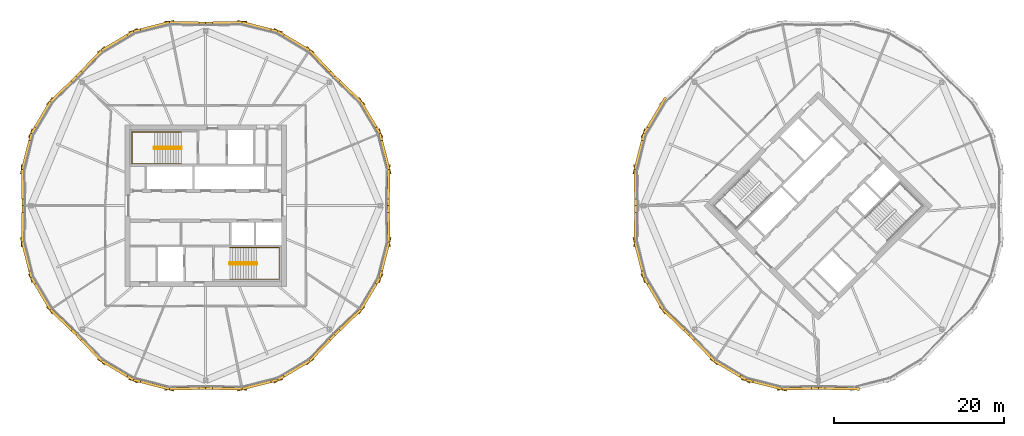
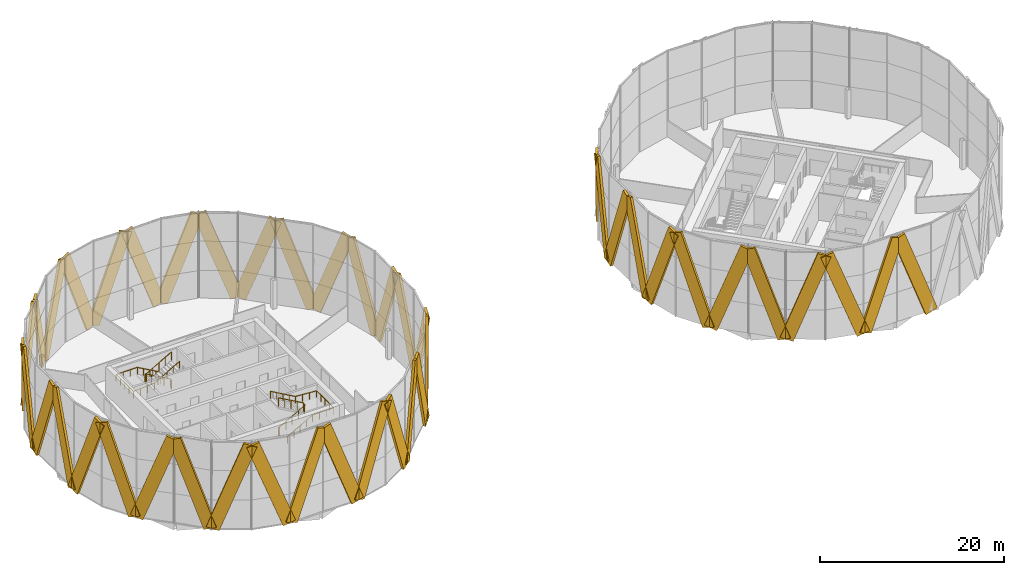
# One storey, part 24 of 25: 44 coverings, 4 railings.
"""IFC4 building model written with IfcOpenShell, lengths in metres."""

from ifc_helpers import new_model, si_unit, direction, frame, origin, origin_2d, place, context, subcontext, project, spatial, rectangle, circle, extrude, material, material_profile, profile_set, type_object, element, save


model = new_model("IFC4")

# Units and contexts
model_context = context("Model", 3, precision=1e-05, world=origin(), true_north=direction((0.0, 1.0)))
body_context = subcontext(model_context, "Body", "Model", "MODEL_VIEW")
ifc_project = project(units=[si_unit("LENGTHUNIT", "METRE"), si_unit("AREAUNIT", "SQUARE_METRE"), si_unit("VOLUMEUNIT", "CUBIC_METRE"), si_unit("PLANEANGLEUNIT", "RADIAN"), si_unit("MASSUNIT", "GRAM", prefix="KILO")], contexts=[model_context])

# Site, building, storey
site_placement = place(None, origin())
site = spatial("IfcSite", under=ifc_project, at=site_placement, CompositionType="ELEMENT")
building_placement = place(site_placement, origin())
building = spatial("IfcBuilding", under=site, at=building_placement, Name="Ogive Gate Towers", CompositionType="ELEMENT")
storey_placement = place(building_placement, frame((0.0, 0.0, 196.800048828125)))
storey = spatial("IfcBuildingStorey", under=building, at=storey_placement, Name="L47", CompositionType="ELEMENT", Elevation=196.800048828125)

# Coverings
ifc_material_1 = material(Name="Pale metal aluminium", Category="aluminium")
ifc_material_profile = material_profile(ifc_material_1, rectangle(XDim=0.300048828125, YDim=1.5, at=origin_2d()), Name="1500 x 300 pale metal aluminium")
ifc_profile_set = profile_set([ifc_material_profile], Name="Pale metal aluminium")
covering_type = type_object("IfcCoveringType", Name="Facade fin 1500 x 300", PredefinedType="CLADDING", material=ifc_profile_set)
covering_1_placement = place(storey_placement, frame((-14.467041015625, 4.131103515625, 0.0068359375), z_axis=(-0.006868851538, -0.342532247172, 0.939480962301), x_axis=(0.999798996149, -0.020049122175, 0.0)))
element("IfcCovering", 1, at=covering_1_placement, inside=storey, type_object=covering_type, Name="Facade fin", PredefinedType="CLADDING", context=body_context, shape_type="SweptSolid", body=[
    extrude(rectangle(XDim=0.300048828125, YDim=1.5, at=origin_2d()), origin(), (0.0, 0.0, 1.0), 11.80029296875),
])
for number, where, z_axis, x_axis, name in (
    (2, (-14.495849609375, 4.37890625, 0.01025390625), (-0.085085120787, 0.336310461638, 0.937899672467), (-0.969455295204, -0.245268079049, 0.0), "Facade fin"),
    (3, (-17.69775390625, 12.109375, 0.01025390625), (0.177630137481, -0.297992897306, 0.937895392575), (0.858971663574, 0.512023125627, 0.0), "Facade fin"),
):
    element("IfcCovering", number, at=place(storey_placement, frame(where, z_axis=z_axis, x_axis=x_axis)), inside=storey, type_object=covering_type, Name=name, PredefinedType="CLADDING", context=body_context, shape_type="SweptSolid", body=[
        extrude(rectangle(XDim=0.300048828125, YDim=1.5, at=origin_2d()), origin(), (0.0, 0.0, 1.0), 11.813232421875),
    ])
for number, where, z_axis, x_axis, name in (
    (4, (-17.852783203125, 12.304931640625, 0.0068359375), (-0.247071403302, 0.237347440854, 0.939479597432), (-0.692773141003, -0.721155583147, 0.0), "Facade fin"),
    (5, (-23.695068359375, 18.147216796875, 0.0068359375), (0.237347440854, -0.247071403302, 0.939479597432), (0.721155583147, 0.692773141003, 0.0), "Facade fin"),
):
    element("IfcCovering", number, at=place(storey_placement, frame(where, z_axis=z_axis, x_axis=x_axis)), inside=storey, type_object=covering_type, Name=name, PredefinedType="CLADDING", context=body_context, shape_type="SweptSolid", body=[
        extrude(rectangle(XDim=0.300048828125, YDim=1.5, at=origin_2d()), origin(), (0.0, 0.0, 1.0), 11.80029296875),
    ])
for number, where, z_axis, x_axis, name in (
    (6, (-23.890625, 18.30224609375, 0.01025390625), (-0.297992897306, 0.177630137481, 0.937895392575), (-0.512023125627, -0.858971663574, 0.0), "Facade fin"),
    (7, (-31.62109375, 21.504150390625, 0.01025390625), (0.336310461638, -0.085085120787, 0.937899672467), (0.245268079049, 0.969455295204, 0.0), "Facade fin"),
):
    element("IfcCovering", number, at=place(storey_placement, frame(where, z_axis=z_axis, x_axis=x_axis)), inside=storey, type_object=covering_type, Name=name, PredefinedType="CLADDING", context=body_context, shape_type="SweptSolid", body=[
        extrude(rectangle(XDim=0.300048828125, YDim=1.5, at=origin_2d()), origin(), (0.0, 0.0, 1.0), 11.813232421875),
    ])
for number, where, z_axis, x_axis, name in (
    (8, (-31.868896484375, 21.532958984375, 0.0068359375), (-0.342532247172, -0.006868851538, 0.939480962301), (0.020049122175, -0.999798996149, 0.0), "Facade fin"),
    (9, (-40.131103515625, 21.532958984375, 0.0068359375), (0.342532247172, -0.006868851538, 0.939480962301), (0.020049122175, 0.999798996149, 0.0), "Facade fin"),
):
    element("IfcCovering", number, at=place(storey_placement, frame(where, z_axis=z_axis, x_axis=x_axis)), inside=storey, type_object=covering_type, Name=name, PredefinedType="CLADDING", context=body_context, shape_type="SweptSolid", body=[
        extrude(rectangle(XDim=0.300048828125, YDim=1.5, at=origin_2d()), origin(), (0.0, 0.0, 1.0), 11.80029296875),
    ])
for number, where, z_axis, x_axis, name in (
    (10, (-40.37890625, 21.504150390625, 0.01025390625), (-0.336310461638, -0.085085120787, 0.937899672467), (0.245268079049, -0.969455295204, 0.0), "Facade fin"),
    (11, (-48.109375, 18.30224609375, 0.01025390625), (0.297992897306, 0.177630137481, 0.937895392575), (-0.512023125627, 0.858971663574, 0.0), "Facade fin"),
):
    element("IfcCovering", number, at=place(storey_placement, frame(where, z_axis=z_axis, x_axis=x_axis)), inside=storey, type_object=covering_type, Name=name, PredefinedType="CLADDING", context=body_context, shape_type="SweptSolid", body=[
        extrude(rectangle(XDim=0.300048828125, YDim=1.5, at=origin_2d()), origin(), (0.0, 0.0, 1.0), 11.813232421875),
    ])
for number, where, z_axis, x_axis, name in (
    (12, (-48.304931640625, 18.147216796875, 0.0068359375), (-0.237347440854, -0.247071403302, 0.939479597432), (0.721155583147, -0.692773141003, 0.0), "Facade fin"),
    (13, (-54.147216796875, 12.304931640625, 0.0068359375), (0.247071403302, 0.237347440854, 0.939479597432), (-0.692773141003, 0.721155583147, 0.0), "Facade fin"),
):
    element("IfcCovering", number, at=place(storey_placement, frame(where, z_axis=z_axis, x_axis=x_axis)), inside=storey, type_object=covering_type, Name=name, PredefinedType="CLADDING", context=body_context, shape_type="SweptSolid", body=[
        extrude(rectangle(XDim=0.300048828125, YDim=1.5, at=origin_2d()), origin(), (0.0, 0.0, 1.0), 11.80029296875),
    ])
for number, where, z_axis, x_axis, name in (
    (14, (-54.30224609375, 12.109375, 0.01025390625), (-0.177630137481, -0.297992897306, 0.937895392575), (0.858971663574, -0.512023125627, 0.0), "Facade fin"),
    (15, (-57.504150390625, 4.37890625, 0.01025390625), (0.085085120787, 0.336310461638, 0.937899672467), (-0.969455295204, 0.245268079049, 0.0), "Facade fin"),
):
    element("IfcCovering", number, at=place(storey_placement, frame(where, z_axis=z_axis, x_axis=x_axis)), inside=storey, type_object=covering_type, Name=name, PredefinedType="CLADDING", context=body_context, shape_type="SweptSolid", body=[
        extrude(rectangle(XDim=0.300048828125, YDim=1.5, at=origin_2d()), origin(), (0.0, 0.0, 1.0), 11.813232421875),
    ])
for number, where, z_axis, x_axis, name in (
    (16, (-57.532958984375, 4.131103515625, 0.0068359375), (0.006868851538, -0.342532247172, 0.939480962301), (0.999798996149, 0.020049122175, 0.0), "Facade fin"),
    (17, (-57.532958984375, -4.131103515625, 0.0068359375), (0.006868851538, 0.342532247172, 0.939480962301), (-0.999798996149, 0.020049122175, 0.0), "Facade fin"),
):
    element("IfcCovering", number, at=place(storey_placement, frame(where, z_axis=z_axis, x_axis=x_axis)), inside=storey, type_object=covering_type, Name=name, PredefinedType="CLADDING", context=body_context, shape_type="SweptSolid", body=[
        extrude(rectangle(XDim=0.300048828125, YDim=1.5, at=origin_2d()), origin(), (0.0, 0.0, 1.0), 11.80029296875),
    ])
for number, where, z_axis, x_axis, name in (
    (18, (-57.504150390625, -4.37890625, 0.01025390625), (0.085085120787, -0.336310461638, 0.937899672467), (0.969455295204, 0.245268079049, 0.0), "Facade fin"),
    (19, (-54.30224609375, -12.109375, 0.01025390625), (-0.177630137481, 0.297992897306, 0.937895392575), (-0.858971663574, -0.512023125627, 0.0), "Facade fin"),
):
    element("IfcCovering", number, at=place(storey_placement, frame(where, z_axis=z_axis, x_axis=x_axis)), inside=storey, type_object=covering_type, Name=name, PredefinedType="CLADDING", context=body_context, shape_type="SweptSolid", body=[
        extrude(rectangle(XDim=0.300048828125, YDim=1.5, at=origin_2d()), origin(), (0.0, 0.0, 1.0), 11.813232421875),
    ])
for number, where, z_axis, x_axis, name in (
    (20, (-54.147216796875, -12.304931640625, 0.0068359375), (0.247071403302, -0.237347440854, 0.939479597432), (0.692773141003, 0.721155583147, 0.0), "Facade fin"),
    (21, (-48.304931640625, -18.147216796875, 0.0068359375), (-0.237347440854, 0.247071403302, 0.939479597432), (-0.721155583147, -0.692773141003, 0.0), "Facade fin"),
):
    element("IfcCovering", number, at=place(storey_placement, frame(where, z_axis=z_axis, x_axis=x_axis)), inside=storey, type_object=covering_type, Name=name, PredefinedType="CLADDING", context=body_context, shape_type="SweptSolid", body=[
        extrude(rectangle(XDim=0.300048828125, YDim=1.5, at=origin_2d()), origin(), (0.0, 0.0, 1.0), 11.80029296875),
    ])
for number, where, z_axis, x_axis, name in (
    (22, (-48.109375, -18.30224609375, 0.01025390625), (0.297992897306, -0.177630137481, 0.937895392575), (0.512023125627, 0.858971663574, 0.0), "Facade fin"),
    (23, (-40.37890625, -21.504150390625, 0.01025390625), (-0.336310461638, 0.085085120787, 0.937899672467), (-0.245268079049, -0.969455295204, 0.0), "Facade fin"),
):
    element("IfcCovering", number, at=place(storey_placement, frame(where, z_axis=z_axis, x_axis=x_axis)), inside=storey, type_object=covering_type, Name=name, PredefinedType="CLADDING", context=body_context, shape_type="SweptSolid", body=[
        extrude(rectangle(XDim=0.300048828125, YDim=1.5, at=origin_2d()), origin(), (0.0, 0.0, 1.0), 11.813232421875),
    ])
for number, where, z_axis, x_axis, name in (
    (24, (-40.131103515625, -21.532958984375, 0.0068359375), (0.342532247172, 0.006868851538, 0.939480962301), (-0.020049122175, 0.999798996149, 0.0), "Facade fin"),
    (25, (-31.868896484375, -21.532958984375, 0.0068359375), (-0.342532247172, 0.006868851538, 0.939480962301), (-0.020049122175, -0.999798996149, 0.0), "Facade fin"),
):
    element("IfcCovering", number, at=place(storey_placement, frame(where, z_axis=z_axis, x_axis=x_axis)), inside=storey, type_object=covering_type, Name=name, PredefinedType="CLADDING", context=body_context, shape_type="SweptSolid", body=[
        extrude(rectangle(XDim=0.300048828125, YDim=1.5, at=origin_2d()), origin(), (0.0, 0.0, 1.0), 11.80029296875),
    ])
for number, where, z_axis, x_axis, name in (
    (26, (-31.62109375, -21.504150390625, 0.01025390625), (0.336310461638, 0.085085120787, 0.937899672467), (-0.245268079049, 0.969455295204, 0.0), "Facade fin"),
    (27, (-23.890625, -18.30224609375, 0.01025390625), (-0.297992897306, -0.177630137481, 0.937895392575), (0.512023125627, -0.858971663574, 0.0), "Facade fin"),
):
    element("IfcCovering", number, at=place(storey_placement, frame(where, z_axis=z_axis, x_axis=x_axis)), inside=storey, type_object=covering_type, Name=name, PredefinedType="CLADDING", context=body_context, shape_type="SweptSolid", body=[
        extrude(rectangle(XDim=0.300048828125, YDim=1.5, at=origin_2d()), origin(), (0.0, 0.0, 1.0), 11.813232421875),
    ])
for number, where, z_axis, x_axis, name in (
    (28, (-23.695068359375, -18.147216796875, 0.0068359375), (0.237347440854, 0.247071403302, 0.939479597432), (-0.721155583147, 0.692773141003, 0.0), "Facade fin"),
    (29, (-17.852783203125, -12.304931640625, 0.0068359375), (-0.247071403302, -0.237347440854, 0.939479597432), (0.692773141003, -0.721155583147, 0.0), "Facade fin"),
):
    element("IfcCovering", number, at=place(storey_placement, frame(where, z_axis=z_axis, x_axis=x_axis)), inside=storey, type_object=covering_type, Name=name, PredefinedType="CLADDING", context=body_context, shape_type="SweptSolid", body=[
        extrude(rectangle(XDim=0.300048828125, YDim=1.5, at=origin_2d()), origin(), (0.0, 0.0, 1.0), 11.80029296875),
    ])
for number, where, z_axis, x_axis, name in (
    (30, (-17.69775390625, -12.109375, 0.01025390625), (0.177630137481, 0.297992897306, 0.937895392575), (-0.858971663574, 0.512023125627, 0.0), "Facade fin"),
    (31, (-14.495849609375, -4.37890625, 0.01025390625), (-0.085085120787, -0.336310461638, 0.937899672467), (0.969455295204, -0.245268079049, 0.0), "Facade fin"),
):
    element("IfcCovering", number, at=place(storey_placement, frame(where, z_axis=z_axis, x_axis=x_axis)), inside=storey, type_object=covering_type, Name=name, PredefinedType="CLADDING", context=body_context, shape_type="SweptSolid", body=[
        extrude(rectangle(XDim=0.300048828125, YDim=1.5, at=origin_2d()), origin(), (0.0, 0.0, 1.0), 11.813232421875),
    ])
covering_2_placement = place(storey_placement, frame((-14.467041015625, -4.131103515625, 0.0068359375), z_axis=(-0.006868851538, 0.342532247172, 0.939480962301), x_axis=(-0.999798996149, -0.020049122175, 0.0)))
element("IfcCovering", 32, at=covering_2_placement, inside=storey, type_object=covering_type, Name="Facade fin", PredefinedType="CLADDING", context=body_context, shape_type="SweptSolid", body=[
    extrude(rectangle(XDim=0.300048828125, YDim=1.5, at=origin_2d()), origin(), (0.0, 0.0, 1.0), 11.80029296875),
])
for number, where, z_axis, x_axis, name in (
    (33, (17.698486328125, 12.110595703125, -0.091796875), (-0.176302946418, -0.295730668898, 0.938861354278), (0.858944456599, -0.51206876538, 0.0), "Facade fin"),
    (34, (14.49560546875, 4.37744140625, -0.091796875), (0.084441459094, 0.333789709417, 0.938857853923), (-0.969459384841, 0.24525191364, 0.0), "Facade fin"),
):
    element("IfcCovering", number, at=place(storey_placement, frame(where, z_axis=z_axis, x_axis=x_axis)), inside=storey, type_object=covering_type, Name=name, PredefinedType="CLADDING", context=body_context, shape_type="SweptSolid", body=[
        extrude(rectangle(XDim=0.300048828125, YDim=1.5, at=origin_2d()), origin(), (0.0, 0.0, 1.0), 11.911865234375),
    ])
for number, where, z_axis, x_axis, name in (
    (35, (14.467041015625, 4.132568359375, -0.094970703125), (0.006811973686, -0.339942108534, 0.940421692572), (0.999799287125, 0.020034606671, 0.0), "Facade fin"),
    (36, (14.467041015625, -4.132568359375, -0.094970703125), (0.006811973686, 0.339942108534, 0.940421692572), (-0.999799287125, 0.020034606671, 0.0), "Facade fin"),
):
    element("IfcCovering", number, at=place(storey_placement, frame(where, z_axis=z_axis, x_axis=x_axis)), inside=storey, type_object=covering_type, Name=name, PredefinedType="CLADDING", context=body_context, shape_type="SweptSolid", body=[
        extrude(rectangle(XDim=0.300048828125, YDim=1.5, at=origin_2d()), origin(), (0.0, 0.0, 1.0), 11.89892578125),
    ])
for number, where, z_axis, x_axis, name in (
    (37, (14.49560546875, -4.37744140625, -0.091796875), (0.084441459094, -0.333789709417, 0.938857853923), (0.969459384841, 0.24525191364, 0.0), "Facade fin"),
    (38, (17.698486328125, -12.110595703125, -0.091796875), (-0.176302946418, 0.295730668898, 0.938861354278), (-0.858944456599, -0.51206876538, 0.0), "Facade fin"),
):
    element("IfcCovering", number, at=place(storey_placement, frame(where, z_axis=z_axis, x_axis=x_axis)), inside=storey, type_object=covering_type, Name=name, PredefinedType="CLADDING", context=body_context, shape_type="SweptSolid", body=[
        extrude(rectangle(XDim=0.300048828125, YDim=1.5, at=origin_2d()), origin(), (0.0, 0.0, 1.0), 11.911865234375),
    ])
for number, where, z_axis, x_axis, name in (
    (39, (17.851806640625, -12.303955078125, -0.094970703125), (0.245190839815, -0.235547350717, 0.940424849545), (0.692783022466, 0.721146090458, 0.0), "Facade fin"),
    (40, (23.696044921875, -18.148193359375, -0.094970703125), (-0.235547350717, 0.245190839815, 0.940424849545), (-0.721146090458, -0.692783022466, 0.0), "Facade fin"),
):
    element("IfcCovering", number, at=place(storey_placement, frame(where, z_axis=z_axis, x_axis=x_axis)), inside=storey, type_object=covering_type, Name=name, PredefinedType="CLADDING", context=body_context, shape_type="SweptSolid", body=[
        extrude(rectangle(XDim=0.300048828125, YDim=1.5, at=origin_2d()), origin(), (0.0, 0.0, 1.0), 11.89892578125),
    ])
for number, where, z_axis, x_axis, name in (
    (41, (23.889404296875, -18.301513671875, -0.091796875), (0.295730668898, -0.176302946418, 0.938861354278), (0.51206876538, 0.858944456599, 0.0), "Facade fin"),
    (42, (31.62255859375, -21.50439453125, -0.091796875), (-0.333789709417, 0.084441459094, 0.938857853923), (-0.24525191364, -0.969459384841, 0.0), "Facade fin"),
):
    element("IfcCovering", number, at=place(storey_placement, frame(where, z_axis=z_axis, x_axis=x_axis)), inside=storey, type_object=covering_type, Name=name, PredefinedType="CLADDING", context=body_context, shape_type="SweptSolid", body=[
        extrude(rectangle(XDim=0.300048828125, YDim=1.5, at=origin_2d()), origin(), (0.0, 0.0, 1.0), 11.911865234375),
    ])
for number, where, z_axis, x_axis, name in (
    (43, (31.867431640625, -21.532958984375, -0.094970703125), (0.339942108534, 0.006811973686, 0.940421692572), (-0.020034606671, 0.999799287125, 0.0), "Facade fin"),
    (44, (40.132568359375, -21.532958984375, -0.094970703125), (-0.339942108534, 0.006811973686, 0.940421692572), (-0.020034606671, -0.999799287125, 0.0), "Facade fin"),
):
    element("IfcCovering", number, at=place(storey_placement, frame(where, z_axis=z_axis, x_axis=x_axis)), inside=storey, type_object=covering_type, Name=name, PredefinedType="CLADDING", context=body_context, shape_type="SweptSolid", body=[
        extrude(rectangle(XDim=0.300048828125, YDim=1.5, at=origin_2d()), origin(), (0.0, 0.0, 1.0), 11.89892578125),
    ])

# Railings
ifc_material_2 = material(Name="Stainless steel", Category="steel")
railing_type_1 = type_object("IfcRailingType", Name="Stair guard 1100", PredefinedType="GUARDRAIL", material=ifc_material_2)
railing_1_placement = place(storey_placement, frame((-38.81494140625, 6.860107421875, 0.0)))
element("IfcRailing", 45, at=railing_1_placement, inside=storey, type_object=railing_type_1, Name="L47 ST1 stair guard 1", PredefinedType="GUARDRAIL", context=body_context, shape_type="SweptSolid", body=[
    extrude(circle(Radius=0.02392578125, at=origin_2d()), frame((0.0, 0.0, 1.076171875), z_axis=(0.0, -1.0, 0.0), x_axis=(1.0, 0.0, 0.0)), (0.0, 0.0, 1.0), 0.14501953125),
    extrude(circle(Radius=0.02392578125, at=origin_2d()), frame((0.0, -0.14501953125, 1.076171875), z_axis=(-0.186679794065, 0.726685247142, 0.661119660934), x_axis=(-0.968551454522, -0.24881334358, 0.0)), (0.0, 0.0, 1.0), 0.26806640625),
    extrude(circle(Radius=0.02392578125, at=origin_2d()), frame((-0.050048828125, 0.0498046875, 1.25341796875), z_axis=(-0.870572935281, 0.0, 0.492039393094), x_axis=(0.0, -1.0, 0.0)), (0.0, 0.0, 1.0), 3.602783203125),
    extrude(circle(Radius=0.02392578125, at=origin_2d()), frame((-3.1865234375, 0.0498046875, 3.02587890625), z_axis=(-0.707106781187, -0.707106781187, 0.0), x_axis=(0.707106781187, -0.707106781187, 0.0)), (0.0, 0.0, 1.0), 0.0703125),
    extrude(circle(Radius=0.02392578125, at=origin_2d()), frame((-3.236328125, 0.0, 3.02587890625), z_axis=(0.0, -1.0, 0.0), x_axis=(1.0, 0.0, 0.0)), (0.0, 0.0, 1.0), 0.14501953125),
    extrude(circle(Radius=0.02392578125, at=origin_2d()), frame((-3.236328125, -0.14501953125, 3.02587890625), z_axis=(0.261041864531, -0.262321481514, 0.929001929653), x_axis=(0.708833529934, 0.705375805398, 0.0)), (0.0, 0.0, 1.0), 0.190673828125),
    extrude(circle(Radius=0.02392578125, at=origin_2d()), frame((-3.1865234375, -0.195068359375, 3.203125), z_axis=(0.870572935281, 0.0, 0.492039393094), x_axis=(0.0, 1.0, 0.0)), (0.0, 0.0, 1.0), 3.602783203125),
    extrude(circle(Radius=0.02099609375, at=origin_2d()), origin(), (0.0, 0.0, 1.0), 1.052001953125),
    extrude(circle(Radius=0.02099609375, at=origin_2d()), frame((0.0, -0.14501953125, 0.0)), (0.0, 0.0, 1.0), 1.052001953125),
    extrude(circle(Radius=0.02099609375, at=origin_2d()), frame((-0.050048828125, 0.0498046875, 0.17724609375)), (0.0, 0.0, 1.0), 1.052001953125),
    extrude(circle(Radius=0.02099609375, at=origin_2d()), frame((-0.834228515625, 0.0498046875, 0.620361328125)), (0.0, 0.0, 1.0), 1.052001953125),
    extrude(circle(Radius=0.02099609375, at=origin_2d()), frame((-1.6181640625, 0.0498046875, 1.0634765625)), (0.0, 0.0, 1.0), 1.052001953125),
    extrude(circle(Radius=0.02099609375, at=origin_2d()), frame((-2.40234375, 0.0498046875, 1.5068359375)), (0.0, 0.0, 1.0), 1.052001953125),
    extrude(circle(Radius=0.02099609375, at=origin_2d()), frame((-3.1865234375, 0.0498046875, 1.949951171875)), (0.0, 0.0, 1.0), 1.052001953125),
    extrude(circle(Radius=0.02099609375, at=origin_2d()), frame((-3.236328125, 0.0, 1.949951171875)), (0.0, 0.0, 1.0), 1.052001953125),
    extrude(circle(Radius=0.02099609375, at=origin_2d()), frame((-3.236328125, -0.14501953125, 1.949951171875)), (0.0, 0.0, 1.0), 1.052001953125),
    extrude(circle(Radius=0.02099609375, at=origin_2d()), frame((-3.1865234375, -0.195068359375, 2.127197265625)), (0.0, 0.0, 1.0), 1.052001953125),
    extrude(circle(Radius=0.02099609375, at=origin_2d()), frame((-2.40234375, -0.195068359375, 2.5703125)), (0.0, 0.0, 1.0), 1.052001953125),
    extrude(circle(Radius=0.02099609375, at=origin_2d()), frame((-1.6181640625, -0.195068359375, 3.013671875)), (0.0, 0.0, 1.0), 1.052001953125),
    extrude(circle(Radius=0.02099609375, at=origin_2d()), frame((-0.834228515625, -0.195068359375, 3.456787109375)), (0.0, 0.0, 1.0), 1.052001953125),
    extrude(circle(Radius=0.02099609375, at=origin_2d()), frame((-0.050048828125, -0.195068359375, 3.89990234375)), (0.0, 0.0, 1.0), 1.052001953125),
])
railing_2_placement = place(storey_placement, frame((-33.18505859375, -6.860107421875, 0.0)))
element("IfcRailing", 46, at=railing_2_placement, inside=storey, type_object=railing_type_1, Name="L47 ST2 stair guard 1", PredefinedType="GUARDRAIL", context=body_context, shape_type="SweptSolid", body=[
    extrude(circle(Radius=0.02392578125, at=origin_2d()), frame((0.0, 0.0, 1.076171875), z_axis=(0.0, 1.0, 0.0), x_axis=(-1.0, 0.0, 0.0)), (0.0, 0.0, 1.0), 0.14501953125),
    extrude(circle(Radius=0.02392578125, at=origin_2d()), frame((0.0, 0.14501953125, 1.076171875), z_axis=(0.186679794065, -0.726685247142, 0.661119660934), x_axis=(0.968551454522, 0.24881334358, 0.0)), (0.0, 0.0, 1.0), 0.26806640625),
    extrude(circle(Radius=0.02392578125, at=origin_2d()), frame((0.050048828125, -0.0498046875, 1.25341796875), z_axis=(0.870572935281, 0.0, 0.492039393094), x_axis=(0.0, 1.0, 0.0)), (0.0, 0.0, 1.0), 3.602783203125),
    extrude(circle(Radius=0.02392578125, at=origin_2d()), frame((3.1865234375, -0.0498046875, 3.02587890625), z_axis=(0.707106781187, 0.707106781187, 0.0), x_axis=(-0.707106781187, 0.707106781187, 0.0)), (0.0, 0.0, 1.0), 0.0703125),
    extrude(circle(Radius=0.02392578125, at=origin_2d()), frame((3.236328125, 0.0, 3.02587890625), z_axis=(0.0, 1.0, 0.0), x_axis=(-1.0, 0.0, 0.0)), (0.0, 0.0, 1.0), 0.14501953125),
    extrude(circle(Radius=0.02392578125, at=origin_2d()), frame((3.236328125, 0.14501953125, 3.02587890625), z_axis=(-0.261041864531, 0.262321481514, 0.929001929653), x_axis=(-0.708833529934, -0.705375805398, 0.0)), (0.0, 0.0, 1.0), 0.190673828125),
    extrude(circle(Radius=0.02392578125, at=origin_2d()), frame((3.1865234375, 0.195068359375, 3.203125), z_axis=(-0.870572935281, 0.0, 0.492039393094), x_axis=(0.0, -1.0, 0.0)), (0.0, 0.0, 1.0), 3.602783203125),
    extrude(circle(Radius=0.02099609375, at=origin_2d()), origin(), (0.0, 0.0, 1.0), 1.052001953125),
    extrude(circle(Radius=0.02099609375, at=origin_2d()), frame((0.0, 0.14501953125, 0.0)), (0.0, 0.0, 1.0), 1.052001953125),
    extrude(circle(Radius=0.02099609375, at=origin_2d()), frame((0.050048828125, -0.0498046875, 0.17724609375)), (0.0, 0.0, 1.0), 1.052001953125),
    extrude(circle(Radius=0.02099609375, at=origin_2d()), frame((0.834228515625, -0.0498046875, 0.620361328125)), (0.0, 0.0, 1.0), 1.052001953125),
    extrude(circle(Radius=0.02099609375, at=origin_2d()), frame((1.6181640625, -0.0498046875, 1.0634765625)), (0.0, 0.0, 1.0), 1.052001953125),
    extrude(circle(Radius=0.02099609375, at=origin_2d()), frame((2.40234375, -0.0498046875, 1.5068359375)), (0.0, 0.0, 1.0), 1.052001953125),
    extrude(circle(Radius=0.02099609375, at=origin_2d()), frame((3.1865234375, -0.0498046875, 1.949951171875)), (0.0, 0.0, 1.0), 1.052001953125),
    extrude(circle(Radius=0.02099609375, at=origin_2d()), frame((3.236328125, 0.0, 1.949951171875)), (0.0, 0.0, 1.0), 1.052001953125),
    extrude(circle(Radius=0.02099609375, at=origin_2d()), frame((3.236328125, 0.14501953125, 1.949951171875)), (0.0, 0.0, 1.0), 1.052001953125),
    extrude(circle(Radius=0.02099609375, at=origin_2d()), frame((3.1865234375, 0.195068359375, 2.127197265625)), (0.0, 0.0, 1.0), 1.052001953125),
    extrude(circle(Radius=0.02099609375, at=origin_2d()), frame((2.40234375, 0.195068359375, 2.5703125)), (0.0, 0.0, 1.0), 1.052001953125),
    extrude(circle(Radius=0.02099609375, at=origin_2d()), frame((1.6181640625, 0.195068359375, 3.013671875)), (0.0, 0.0, 1.0), 1.052001953125),
    extrude(circle(Radius=0.02099609375, at=origin_2d()), frame((0.834228515625, 0.195068359375, 3.456787109375)), (0.0, 0.0, 1.0), 1.052001953125),
    extrude(circle(Radius=0.02099609375, at=origin_2d()), frame((0.050048828125, 0.195068359375, 3.89990234375)), (0.0, 0.0, 1.0), 1.052001953125),
])
railing_type_2 = type_object("IfcRailingType", Name="Stair handrail 900", PredefinedType="HANDRAIL", material=ifc_material_2)
railing_3_placement = place(storey_placement, frame((-38.864990234375, 8.64990234375, 0.17724609375)))
element("IfcRailing", 47, at=railing_3_placement, inside=storey, type_object=railing_type_2, Name="L47 ST1 stair handrail 1", PredefinedType="HANDRAIL", context=body_context, shape_type="SweptSolid", body=[
    extrude(circle(Radius=0.02392578125, at=origin_2d()), frame((0.0, 0.0, 0.8759765625), z_axis=(-0.870572935281, 0.0, 0.492039393094), x_axis=(0.0, -1.0, 0.0)), (0.0, 0.0, 1.0), 3.602783203125),
    extrude(circle(Radius=0.02392578125, at=origin_2d()), frame((-3.136474609375, 0.0, 2.6484375), z_axis=(-1.0, 0.0, 0.0), x_axis=(0.0, -1.0, 0.0)), (0.0, 0.0, 1.0), 2.6484375),
    extrude(circle(Radius=0.02392578125, at=origin_2d()), frame((-5.784912109375, 0.0, 2.6484375), z_axis=(0.0, -1.0, 0.0), x_axis=(1.0, 0.0, 0.0)), (0.0, 0.0, 1.0), 3.724853515625),
    extrude(circle(Radius=0.02392578125, at=origin_2d()), frame((-5.784912109375, -3.724853515625, 2.6484375), z_axis=(0.997768031817, 0.0, 0.066775404784), x_axis=(0.0, 1.0, 0.0)), (0.0, 0.0, 1.0), 2.654296875),
    extrude(circle(Radius=0.02392578125, at=origin_2d()), frame((-3.136474609375, -3.724853515625, 2.82568359375), z_axis=(0.870572935281, 0.0, 0.492039393094), x_axis=(0.0, 1.0, 0.0)), (0.0, 0.0, 1.0), 3.602783203125),
    extrude(circle(Radius=0.02099609375, at=origin_2d()), origin(), (0.0, 0.0, 1.0), 0.851806640625),
    extrude(circle(Radius=0.02099609375, at=origin_2d()), frame((-0.7841796875, 0.0, 0.443115234375)), (0.0, 0.0, 1.0), 0.851806640625),
    extrude(circle(Radius=0.02099609375, at=origin_2d()), frame((-1.568359375, 0.0, 0.88623046875)), (0.0, 0.0, 1.0), 0.851806640625),
    extrude(circle(Radius=0.02099609375, at=origin_2d()), frame((-2.352294921875, 0.0, 1.32958984375)), (0.0, 0.0, 1.0), 0.851806640625),
    extrude(circle(Radius=0.02099609375, at=origin_2d()), frame((-3.136474609375, 0.0, 1.772705078125)), (0.0, 0.0, 1.0), 0.851806640625),
    extrude(circle(Radius=0.02099609375, at=origin_2d()), frame((-4.019287109375, 0.0, 1.772705078125)), (0.0, 0.0, 1.0), 0.851806640625),
    extrude(circle(Radius=0.02099609375, at=origin_2d()), frame((-4.902099609375, 0.0, 1.772705078125)), (0.0, 0.0, 1.0), 0.851806640625),
    extrude(circle(Radius=0.02099609375, at=origin_2d()), frame((-5.784912109375, 0.0, 1.772705078125)), (0.0, 0.0, 1.0), 0.851806640625),
    extrude(circle(Radius=0.02099609375, at=origin_2d()), frame((-5.784912109375, -0.93115234375, 1.772705078125)), (0.0, 0.0, 1.0), 0.851806640625),
    extrude(circle(Radius=0.02099609375, at=origin_2d()), frame((-5.784912109375, -1.8623046875, 1.772705078125)), (0.0, 0.0, 1.0), 0.851806640625),
    extrude(circle(Radius=0.02099609375, at=origin_2d()), frame((-5.784912109375, -2.793701171875, 1.772705078125)), (0.0, 0.0, 1.0), 0.851806640625),
    extrude(circle(Radius=0.02099609375, at=origin_2d()), frame((-5.784912109375, -3.724853515625, 1.772705078125)), (0.0, 0.0, 1.0), 0.851806640625),
    extrude(circle(Radius=0.02099609375, at=origin_2d()), frame((-4.902099609375, -3.724853515625, 1.831787109375)), (0.0, 0.0, 1.0), 0.851806640625),
    extrude(circle(Radius=0.02099609375, at=origin_2d()), frame((-4.019287109375, -3.724853515625, 1.890869140625)), (0.0, 0.0, 1.0), 0.851806640625),
    extrude(circle(Radius=0.02099609375, at=origin_2d()), frame((-3.136474609375, -3.724853515625, 1.949951171875)), (0.0, 0.0, 1.0), 0.851806640625),
    extrude(circle(Radius=0.02099609375, at=origin_2d()), frame((-2.352294921875, -3.724853515625, 2.39306640625)), (0.0, 0.0, 1.0), 0.851806640625),
    extrude(circle(Radius=0.02099609375, at=origin_2d()), frame((-1.568359375, -3.724853515625, 2.83642578125)), (0.0, 0.0, 1.0), 0.851806640625),
    extrude(circle(Radius=0.02099609375, at=origin_2d()), frame((-0.7841796875, -3.724853515625, 3.279541015625)), (0.0, 0.0, 1.0), 0.851806640625),
    extrude(circle(Radius=0.02099609375, at=origin_2d()), frame((0.0, -3.724853515625, 3.72265625)), (0.0, 0.0, 1.0), 0.851806640625),
])
railing_4_placement = place(storey_placement, frame((-33.135009765625, -8.64990234375, 0.17724609375)))
element("IfcRailing", 48, at=railing_4_placement, inside=storey, type_object=railing_type_2, Name="L47 ST2 stair handrail 1", PredefinedType="HANDRAIL", context=body_context, shape_type="SweptSolid", body=[
    extrude(circle(Radius=0.02392578125, at=origin_2d()), frame((0.0, 0.0, 0.8759765625), z_axis=(0.870572935281, 0.0, 0.492039393094), x_axis=(0.0, 1.0, 0.0)), (0.0, 0.0, 1.0), 3.602783203125),
    extrude(circle(Radius=0.02392578125, at=origin_2d()), frame((3.136474609375, 0.0, 2.6484375), z_axis=(1.0, 0.0, 0.0), x_axis=(0.0, 1.0, 0.0)), (0.0, 0.0, 1.0), 2.6484375),
    extrude(circle(Radius=0.02392578125, at=origin_2d()), frame((5.784912109375, 0.0, 2.6484375), z_axis=(0.0, 1.0, 0.0), x_axis=(-1.0, 0.0, 0.0)), (0.0, 0.0, 1.0), 3.724853515625),
    extrude(circle(Radius=0.02392578125, at=origin_2d()), frame((5.784912109375, 3.724853515625, 2.6484375), z_axis=(-0.997768031817, 0.0, 0.066775404784), x_axis=(0.0, -1.0, 0.0)), (0.0, 0.0, 1.0), 2.654296875),
    extrude(circle(Radius=0.02392578125, at=origin_2d()), frame((3.136474609375, 3.724853515625, 2.82568359375), z_axis=(-0.870572935281, 0.0, 0.492039393094), x_axis=(0.0, -1.0, 0.0)), (0.0, 0.0, 1.0), 3.602783203125),
    extrude(circle(Radius=0.02099609375, at=origin_2d()), origin(), (0.0, 0.0, 1.0), 0.851806640625),
    extrude(circle(Radius=0.02099609375, at=origin_2d()), frame((0.7841796875, 0.0, 0.443115234375)), (0.0, 0.0, 1.0), 0.851806640625),
    extrude(circle(Radius=0.02099609375, at=origin_2d()), frame((1.568359375, 0.0, 0.88623046875)), (0.0, 0.0, 1.0), 0.851806640625),
    extrude(circle(Radius=0.02099609375, at=origin_2d()), frame((2.352294921875, 0.0, 1.32958984375)), (0.0, 0.0, 1.0), 0.851806640625),
    extrude(circle(Radius=0.02099609375, at=origin_2d()), frame((3.136474609375, 0.0, 1.772705078125)), (0.0, 0.0, 1.0), 0.851806640625),
    extrude(circle(Radius=0.02099609375, at=origin_2d()), frame((4.019287109375, 0.0, 1.772705078125)), (0.0, 0.0, 1.0), 0.851806640625),
    extrude(circle(Radius=0.02099609375, at=origin_2d()), frame((4.902099609375, 0.0, 1.772705078125)), (0.0, 0.0, 1.0), 0.851806640625),
    extrude(circle(Radius=0.02099609375, at=origin_2d()), frame((5.784912109375, 0.0, 1.772705078125)), (0.0, 0.0, 1.0), 0.851806640625),
    extrude(circle(Radius=0.02099609375, at=origin_2d()), frame((5.784912109375, 0.93115234375, 1.772705078125)), (0.0, 0.0, 1.0), 0.851806640625),
    extrude(circle(Radius=0.02099609375, at=origin_2d()), frame((5.784912109375, 1.8623046875, 1.772705078125)), (0.0, 0.0, 1.0), 0.851806640625),
    extrude(circle(Radius=0.02099609375, at=origin_2d()), frame((5.784912109375, 2.793701171875, 1.772705078125)), (0.0, 0.0, 1.0), 0.851806640625),
    extrude(circle(Radius=0.02099609375, at=origin_2d()), frame((5.784912109375, 3.724853515625, 1.772705078125)), (0.0, 0.0, 1.0), 0.851806640625),
    extrude(circle(Radius=0.02099609375, at=origin_2d()), frame((4.902099609375, 3.724853515625, 1.831787109375)), (0.0, 0.0, 1.0), 0.851806640625),
    extrude(circle(Radius=0.02099609375, at=origin_2d()), frame((4.019287109375, 3.724853515625, 1.890869140625)), (0.0, 0.0, 1.0), 0.851806640625),
    extrude(circle(Radius=0.02099609375, at=origin_2d()), frame((3.136474609375, 3.724853515625, 1.949951171875)), (0.0, 0.0, 1.0), 0.851806640625),
    extrude(circle(Radius=0.02099609375, at=origin_2d()), frame((2.352294921875, 3.724853515625, 2.39306640625)), (0.0, 0.0, 1.0), 0.851806640625),
    extrude(circle(Radius=0.02099609375, at=origin_2d()), frame((1.568359375, 3.724853515625, 2.83642578125)), (0.0, 0.0, 1.0), 0.851806640625),
    extrude(circle(Radius=0.02099609375, at=origin_2d()), frame((0.7841796875, 3.724853515625, 3.279541015625)), (0.0, 0.0, 1.0), 0.851806640625),
    extrude(circle(Radius=0.02099609375, at=origin_2d()), frame((0.0, 3.724853515625, 3.72265625)), (0.0, 0.0, 1.0), 0.851806640625),
])

save(model, "model.ifc")
